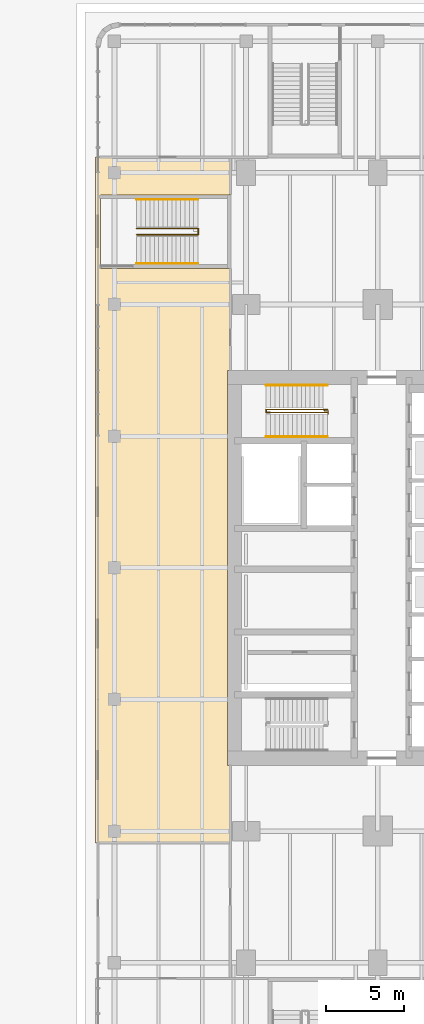
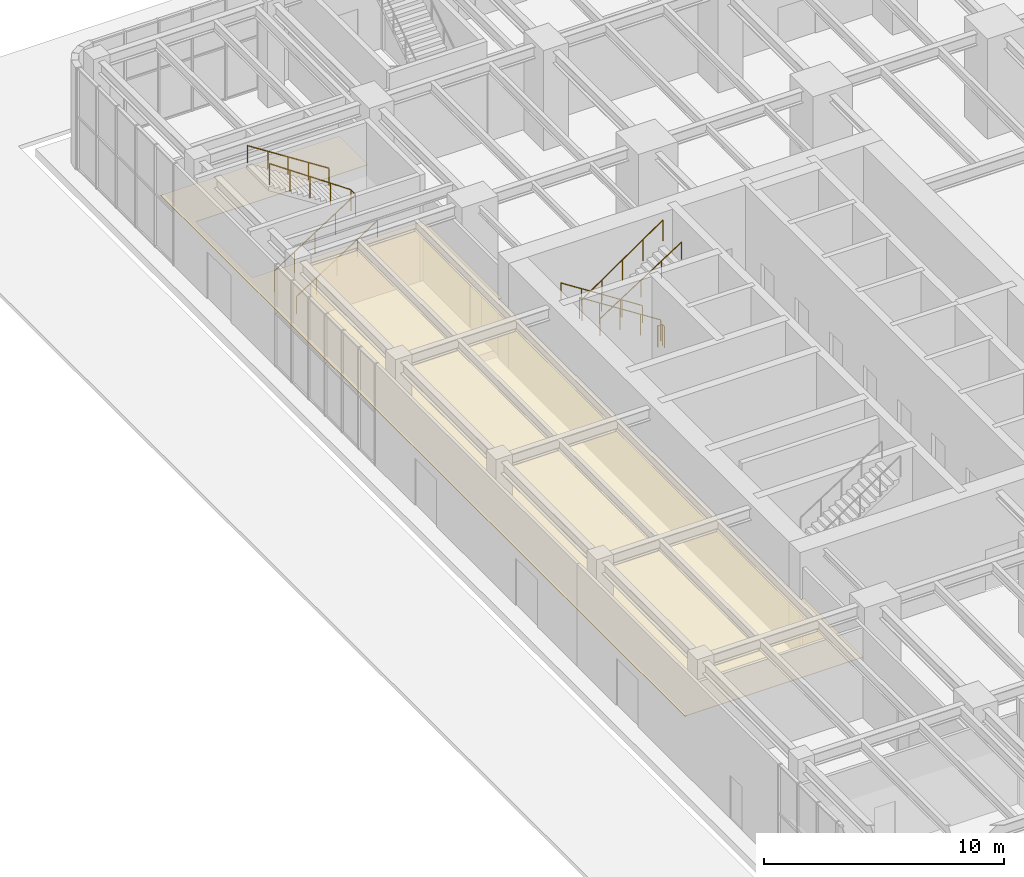
# One storey, part 27 of 31: 7 railings, 1 covering.
"""IFC4 building model written with IfcOpenShell, lengths in metres."""

from ifc_helpers import new_model, si_unit, direction, frame, origin, origin_2d, place, context, subcontext, project, spatial, polyline, circle, outline, extrude, material, layer, layer_set, type_object, element, save


model = new_model("IFC4")

# Units and contexts
model_context = context("Model", 3, precision=1e-05, world=origin(), true_north=direction((0.0, 1.0)))
body_context = subcontext(model_context, "Body", "Model", "MODEL_VIEW")
ifc_project = project(units=[si_unit("LENGTHUNIT", "METRE"), si_unit("AREAUNIT", "SQUARE_METRE"), si_unit("VOLUMEUNIT", "CUBIC_METRE"), si_unit("PLANEANGLEUNIT", "RADIAN"), si_unit("MASSUNIT", "GRAM", prefix="KILO")], contexts=[model_context])

# Site, building, storey
site_placement = place(None, origin())
site = spatial("IfcSite", under=ifc_project, at=site_placement, CompositionType="ELEMENT")
building_placement = place(site_placement, origin())
building = spatial("IfcBuilding", under=site, at=building_placement, Name="Claustro Exchange Tower", CompositionType="ELEMENT")
storey_placement = place(building_placement, origin())
storey = spatial("IfcBuildingStorey", under=building, at=storey_placement, Name="L00", CompositionType="ELEMENT", Elevation=0.0)

# Covering
ifc_material_1 = material(Name="Gypsum board ceiling", Category="gypsum board")
ifc_layer = layer(ifc_material_1, 0.02490234375)
ifc_layer_set = layer_set([ifc_layer], Name="Gypsum board ceiling")
covering_type = type_object("IfcCoveringType", Name="CL2 plasterboard ceiling", PredefinedType="CEILING", material=ifc_layer_set)
covering_placement = place(storey_placement, frame((0.0, 0.0, 3.0)))
element("IfcCovering", 1, at=covering_placement, inside=storey, type_object=covering_type, Name="Ceiling CL2 L00-08", PredefinedType="CEILING", context=body_context, shape_type="SweptSolid", body=[
    extrude(outline(polyline([(-1.0, 51.39990234375), (-9.60009765625, 51.39990234375), (-9.60009765625, 7.64990234375), (-1.0, 7.64990234375), (-1.0, 12.60009765625), (-1.199951171875, 12.60009765625), (-1.199951171875, 37.800048828125), (-1.0, 37.800048828125), (-1.0, 44.300048828125), (-9.280029296875, 44.300048828125), (-9.280029296875, 49.0), (-1.0, 49.0), (-1.0, 51.39990234375)])), origin(), (0.0, 0.0, 1.0), 0.02490234375),
])

# Railings
ifc_material_2 = material(Name="Steel balustrade, painted", Category="steel")
railing_type_1 = type_object("IfcRailingType", Name="GR2 1100 steel stair guard", PredefinedType="GUARDRAIL", material=ifc_material_2)
railing_1_placement = place(storey_placement, frame((5.199951171875, 35.300048828125, 0.179931640625)))
element("IfcRailing", 2, at=railing_1_placement, inside=storey, type_object=railing_type_1, Name="Stair well guard GR2 stair STWB L00", PredefinedType="GUARDRAIL", context=body_context, shape_type="SweptSolid", body=[
    extrude(circle(Radius=0.02392578125, at=origin_2d()), frame((0.0, 0.0, 1.076171875), z_axis=(-0.841171666519, 0.0, 0.540768182723), x_axis=(0.0, -1.0, 0.0)), (0.0, 0.0, 1.0), 4.66015625),
    extrude(circle(Radius=0.02392578125, at=origin_2d()), frame((-3.919921875, 0.0, 3.59619140625), z_axis=(0.0, -1.0, 0.0), x_axis=(1.0, 0.0, 0.0)), (0.0, 0.0, 1.0), 0.199951171875),
    extrude(circle(Radius=0.02392578125, at=origin_2d()), frame((-3.919921875, -0.199951171875, 3.59619140625), z_axis=(0.823550731654, 0.0, 0.567242622158), x_axis=(0.0, 1.0, 0.0)), (0.0, 0.0, 1.0), 4.759765625),
    extrude(circle(Radius=0.02099609375, at=origin_2d()), origin(), (0.0, 0.0, 1.0), 1.052001953125),
    extrude(circle(Radius=0.02099609375, at=origin_2d()), frame((-0.97998046875, 0.0, 0.6298828125)), (0.0, 0.0, 1.0), 1.052001953125),
    extrude(circle(Radius=0.02099609375, at=origin_2d()), frame((-1.9599609375, 0.0, 1.260009765625)), (0.0, 0.0, 1.0), 1.052001953125),
    extrude(circle(Radius=0.02099609375, at=origin_2d()), frame((-2.93994140625, 0.0, 1.89013671875)), (0.0, 0.0, 1.0), 1.052001953125),
    extrude(circle(Radius=0.02099609375, at=origin_2d()), frame((-3.919921875, 0.0, 2.52001953125)), (0.0, 0.0, 1.0), 1.052001953125),
    extrude(circle(Radius=0.02099609375, at=origin_2d()), frame((-3.919921875, -0.199951171875, 2.52001953125)), (0.0, 0.0, 1.0), 1.052001953125),
    extrude(circle(Radius=0.02099609375, at=origin_2d()), frame((-2.93994140625, -0.199951171875, 3.195068359375)), (0.0, 0.0, 1.0), 1.052001953125),
    extrude(circle(Radius=0.02099609375, at=origin_2d()), frame((-1.9599609375, -0.199951171875, 3.8701171875)), (0.0, 0.0, 1.0), 1.052001953125),
    extrude(circle(Radius=0.02099609375, at=origin_2d()), frame((-0.97998046875, -0.199951171875, 4.544921875)), (0.0, 0.0, 1.0), 1.052001953125),
    extrude(circle(Radius=0.02099609375, at=origin_2d()), frame((0.0, -0.199951171875, 5.219970703125)), (0.0, 0.0, 1.0), 1.052001953125),
])
railing_2_placement = place(storey_placement, frame((5.0, 35.22998046875, 0.0)))
element("IfcRailing", 3, at=railing_2_placement, inside=storey, type_object=railing_type_1, Name="Stair guard GR2 STWB L00", PredefinedType="GUARDRAIL", context=body_context, shape_type="SweptSolid", body=[
    extrude(circle(Radius=0.02392578125, at=origin_2d()), frame((0.0, 0.0, 1.076171875), z_axis=(0.0, -1.0, 0.0), x_axis=(1.0, 0.0, 0.0)), (0.0, 0.0, 1.0), 0.030029296875),
    extrude(circle(Radius=0.02392578125, at=origin_2d()), frame((0.0, -0.030029296875, 1.076171875), z_axis=(1.0, 0.0, 0.0), x_axis=(0.0, 1.0, 0.0)), (0.0, 0.0, 1.0), 0.22509765625),
    extrude(circle(Radius=0.02392578125, at=origin_2d()), frame((0.22509765625, -0.030029296875, 1.076171875), z_axis=(0.0, -1.0, 0.0), x_axis=(1.0, 0.0, 0.0)), (0.0, 0.0, 1.0), 0.179931640625),
    extrude(circle(Radius=0.02099609375, at=origin_2d()), origin(), (0.0, 0.0, 1.0), 1.052001953125),
    extrude(circle(Radius=0.02099609375, at=origin_2d()), frame((0.0, -0.030029296875, 0.0)), (0.0, 0.0, 1.0), 1.052001953125),
    extrude(circle(Radius=0.02099609375, at=origin_2d()), frame((0.22509765625, -0.030029296875, 0.0)), (0.0, 0.0, 1.0), 1.052001953125),
    extrude(circle(Radius=0.02099609375, at=origin_2d()), frame((0.22509765625, -0.2099609375, 0.0)), (0.0, 0.0, 1.0), 1.052001953125),
])
railing_3_placement = place(storey_placement, frame((-6.97998046875, 46.449951171875, 0.179931640625)))
element("IfcRailing", 4, at=railing_3_placement, inside=storey, type_object=railing_type_1, Name="Stair well guard GR2 stair STP5 L00", PredefinedType="GUARDRAIL", context=body_context, shape_type="SweptSolid", body=[
    extrude(circle(Radius=0.02392578125, at=origin_2d()), frame((0.0, 0.0, 1.076171875), z_axis=(0.841171666519, 0.0, 0.540768182723), x_axis=(0.0, 1.0, 0.0)), (0.0, 0.0, 1.0), 4.66015625),
    extrude(circle(Radius=0.02392578125, at=origin_2d()), frame((3.919921875, 0.0, 3.59619140625), z_axis=(0.0, 1.0, 0.0), x_axis=(-1.0, 0.0, 0.0)), (0.0, 0.0, 1.0), 0.400146484375),
    extrude(circle(Radius=0.02392578125, at=origin_2d()), frame((3.919921875, 0.400146484375, 3.59619140625), z_axis=(-0.823550731654, 0.0, 0.567242622158), x_axis=(0.0, -1.0, 0.0)), (0.0, 0.0, 1.0), 4.759765625),
    extrude(circle(Radius=0.02099609375, at=origin_2d()), origin(), (0.0, 0.0, 1.0), 1.052001953125),
    extrude(circle(Radius=0.02099609375, at=origin_2d()), frame((0.97998046875, 0.0, 0.6298828125)), (0.0, 0.0, 1.0), 1.052001953125),
    extrude(circle(Radius=0.02099609375, at=origin_2d()), frame((1.9599609375, 0.0, 1.260009765625)), (0.0, 0.0, 1.0), 1.052001953125),
    extrude(circle(Radius=0.02099609375, at=origin_2d()), frame((2.93994140625, 0.0, 1.89013671875)), (0.0, 0.0, 1.0), 1.052001953125),
    extrude(circle(Radius=0.02099609375, at=origin_2d()), frame((3.919921875, 0.0, 2.52001953125)), (0.0, 0.0, 1.0), 1.052001953125),
    extrude(circle(Radius=0.02099609375, at=origin_2d()), frame((3.919921875, 0.400146484375, 2.52001953125)), (0.0, 0.0, 1.0), 1.052001953125),
    extrude(circle(Radius=0.02099609375, at=origin_2d()), frame((2.93994140625, 0.400146484375, 3.195068359375)), (0.0, 0.0, 1.0), 1.052001953125),
    extrude(circle(Radius=0.02099609375, at=origin_2d()), frame((1.9599609375, 0.400146484375, 3.8701171875)), (0.0, 0.0, 1.0), 1.052001953125),
    extrude(circle(Radius=0.02099609375, at=origin_2d()), frame((0.97998046875, 0.400146484375, 4.544921875)), (0.0, 0.0, 1.0), 1.052001953125),
    extrude(circle(Radius=0.02099609375, at=origin_2d()), frame((0.0, 0.400146484375, 5.219970703125)), (0.0, 0.0, 1.0), 1.052001953125),
])
ifc_material_3 = material(Name="Stainless steel tube", Category="steel")
railing_type_2 = type_object("IfcRailingType", Name="HR1 900 stair handrail", PredefinedType="HANDRAIL", material=ifc_material_3)
railing_4_placement = place(storey_placement, frame((5.199951171875, 36.840087890625, 0.179931640625)))
element("IfcRailing", 5, at=railing_4_placement, inside=storey, type_object=railing_type_2, Name="Handrail HR1 stair STWB L00", PredefinedType="HANDRAIL", context=body_context, shape_type="SweptSolid", body=[
    extrude(circle(Radius=0.02392578125, at=origin_2d()), frame((0.0, 0.0, 0.8759765625), z_axis=(-0.841171666519, 0.0, 0.540768182723), x_axis=(0.0, -1.0, 0.0)), (0.0, 0.0, 1.0), 4.66015625),
    extrude(circle(Radius=0.02099609375, at=origin_2d()), origin(), (0.0, 0.0, 1.0), 0.851806640625),
    extrude(circle(Radius=0.02099609375, at=origin_2d()), frame((-0.97998046875, 0.0, 0.6298828125)), (0.0, 0.0, 1.0), 0.851806640625),
    extrude(circle(Radius=0.02099609375, at=origin_2d()), frame((-1.9599609375, 0.0, 1.260009765625)), (0.0, 0.0, 1.0), 0.851806640625),
    extrude(circle(Radius=0.02099609375, at=origin_2d()), frame((-2.93994140625, 0.0, 1.89013671875)), (0.0, 0.0, 1.0), 0.851806640625),
    extrude(circle(Radius=0.02099609375, at=origin_2d()), frame((-3.919921875, 0.0, 2.52001953125)), (0.0, 0.0, 1.0), 0.851806640625),
])
for number, where, name in (
    (6, (1.280029296875, 33.56005859375, 2.8798828125), "Handrail HR1 stair STWB L00"),
    (7, (-6.97998046875, 44.610107421875, 0.179931640625), "Handrail HR1 stair STP5 L00"),
):
    element("IfcRailing", number, at=place(storey_placement, frame(where)), inside=storey, type_object=railing_type_2, Name=name, PredefinedType="HANDRAIL", context=body_context, shape_type="SweptSolid", body=[
        extrude(circle(Radius=0.02392578125, at=origin_2d()), frame((0.0, 0.0, 0.8759765625), z_axis=(0.841171666519, 0.0, 0.540768182723), x_axis=(0.0, 1.0, 0.0)), (0.0, 0.0, 1.0), 4.66015625),
        extrude(circle(Radius=0.02099609375, at=origin_2d()), origin(), (0.0, 0.0, 1.0), 0.851806640625),
        extrude(circle(Radius=0.02099609375, at=origin_2d()), frame((0.97998046875, 0.0, 0.6298828125)), (0.0, 0.0, 1.0), 0.851806640625),
        extrude(circle(Radius=0.02099609375, at=origin_2d()), frame((1.9599609375, 0.0, 1.260009765625)), (0.0, 0.0, 1.0), 0.851806640625),
        extrude(circle(Radius=0.02099609375, at=origin_2d()), frame((2.93994140625, 0.0, 1.89013671875)), (0.0, 0.0, 1.0), 0.851806640625),
        extrude(circle(Radius=0.02099609375, at=origin_2d()), frame((3.919921875, 0.0, 2.52001953125)), (0.0, 0.0, 1.0), 0.851806640625),
    ])
railing_5_placement = place(storey_placement, frame((-3.06005859375, 48.68994140625, 2.8798828125)))
element("IfcRailing", 8, at=railing_5_placement, inside=storey, type_object=railing_type_2, Name="Handrail HR1 stair STP5 L00", PredefinedType="HANDRAIL", context=body_context, shape_type="SweptSolid", body=[
    extrude(circle(Radius=0.02392578125, at=origin_2d()), frame((0.0, 0.0, 0.8759765625), z_axis=(-0.841171666519, 0.0, 0.540768182723), x_axis=(0.0, -1.0, 0.0)), (0.0, 0.0, 1.0), 4.66015625),
    extrude(circle(Radius=0.02099609375, at=origin_2d()), origin(), (0.0, 0.0, 1.0), 0.851806640625),
    extrude(circle(Radius=0.02099609375, at=origin_2d()), frame((-0.97998046875, 0.0, 0.6298828125)), (0.0, 0.0, 1.0), 0.851806640625),
    extrude(circle(Radius=0.02099609375, at=origin_2d()), frame((-1.9599609375, 0.0, 1.260009765625)), (0.0, 0.0, 1.0), 0.851806640625),
    extrude(circle(Radius=0.02099609375, at=origin_2d()), frame((-2.93994140625, 0.0, 1.89013671875)), (0.0, 0.0, 1.0), 0.851806640625),
    extrude(circle(Radius=0.02099609375, at=origin_2d()), frame((-3.919921875, 0.0, 2.52001953125)), (0.0, 0.0, 1.0), 0.851806640625),
])

save(model, "model.ifc")
